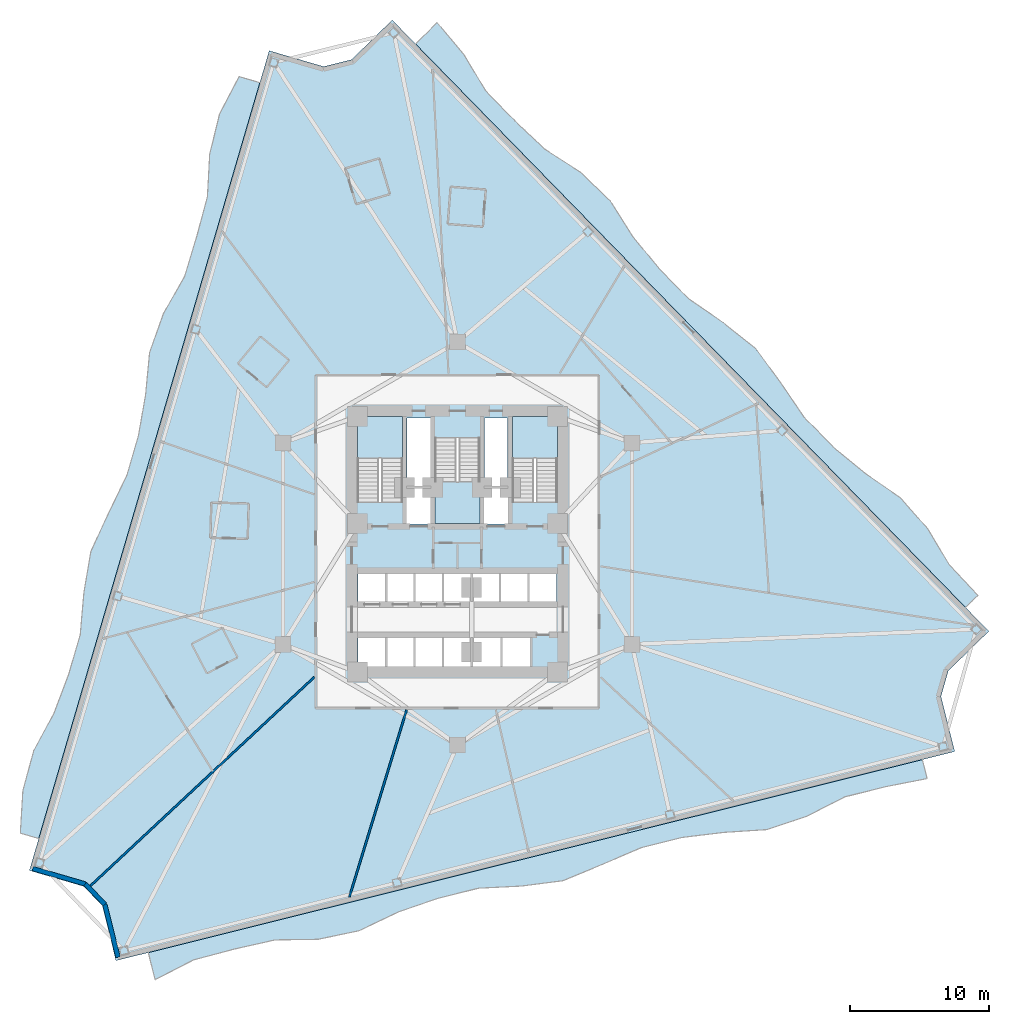
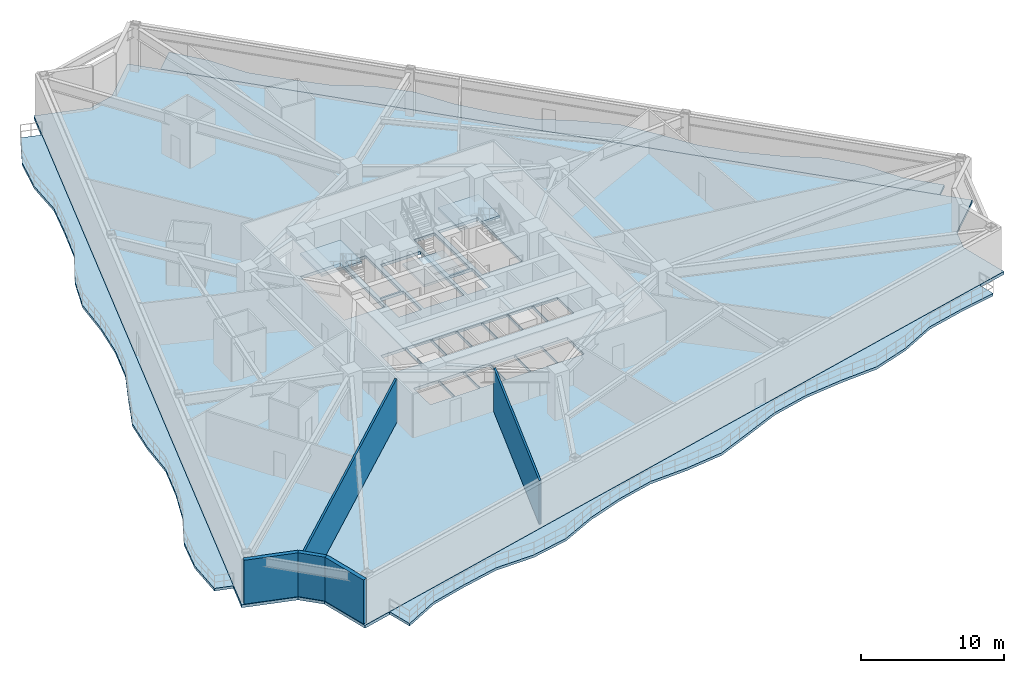
# One storey, part 2 of 10: 7 slabs, 5 walls, 3 elements without a shape of their own.
"""IFC4 building model written with IfcOpenShell, lengths in metres."""

from ifc_helpers import new_model, si_unit, direction, frame, frame_2d, origin, place, context, subcontext, project, spatial, polyline, rectangle, outline, extrude, material, layer, layer_set, type_object, element, aggregate, save


model = new_model("IFC4")

# Units and contexts
model_context = context("Model", 3, precision=1e-05, world=origin(), true_north=direction((0.0, 1.0)))
body_context = subcontext(model_context, "Body", "Model", "MODEL_VIEW")
ifc_project = project(units=[si_unit("LENGTHUNIT", "METRE"), si_unit("AREAUNIT", "SQUARE_METRE"), si_unit("VOLUMEUNIT", "CUBIC_METRE"), si_unit("PLANEANGLEUNIT", "RADIAN"), si_unit("MASSUNIT", "GRAM", prefix="KILO")], contexts=[model_context])

# Site, building, storey
site_placement = place(None, origin())
site = spatial("IfcSite", under=ifc_project, at=site_placement, CompositionType="ELEMENT")
building_placement = place(site_placement, origin())
building = spatial("IfcBuilding", under=site, at=building_placement, Name="Apsidion Concourse Tower", CompositionType="ELEMENT")
storey_placement = place(building_placement, frame((0.0, 0.0, 107.0)))
storey = spatial("IfcBuildingStorey", under=building, at=storey_placement, Name="L24", CompositionType="ELEMENT", Elevation=107.0)

# Slabs
ifc_material_1 = material(Name="Concrete C50/60", Category="concrete")
ifc_layer_1 = layer(ifc_material_1, 0.219970703125)
ifc_layer_set_1 = layer_set([ifc_layer_1], Name="Concrete C50/60")
slab_type_1 = type_object("IfcSlabType", Name="SL-BAL-220", PredefinedType="FLOOR", material=ifc_layer_set_1)
slab_1_placement = place(storey_placement, frame((0.0, 0.0, -0.219970703125)))
element("IfcSlab", 1, at=slab_1_placement, inside=storey, type_object=slab_type_1, Name="L24 Face 1 Rippling Balcony Slab", PredefinedType="FLOOR", context=body_context, shape_type="SweptSolid", body=[
    extrude(outline(polyline([(-14.220458984375, 33.17431640625), (-15.05810546875, 30.311279296875), (-15.8955078125, 27.4482421875), (-16.73291015625, 24.58544921875), (-17.570556640625, 21.722412109375), (-18.407958984375, 18.859619140625), (-19.24560546875, 15.99658203125), (-20.0830078125, 13.133544921875), (-20.920654296875, 10.2705078125), (-21.758056640625, 7.40771484375), (-22.595703125, 4.544677734375), (-23.43310546875, 1.681884765625), (-24.2705078125, -1.18115234375), (-25.108154296875, -4.044189453125), (-25.94580078125, -6.906982421875), (-26.783203125, -9.77001953125), (-27.62060546875, -12.633056640625), (-28.458251953125, -15.495849609375), (-29.295654296875, -18.35888671875), (-30.13330078125, -21.2216796875), (-31.457275390625, -20.83447265625), (-31.2744140625, -17.780029296875), (-30.491455078125, -14.901123046875), (-29.04150390625, -12.21728515625), (-27.98291015625, -9.419189453125), (-27.1455078125, -6.55615234375), (-26.8837890625, -3.524658203125), (-26.380126953125, -0.564208984375), (-25.116455078125, 2.17431640625), (-23.79541015625, 4.895751953125), (-22.957763671875, 7.758544921875), (-22.441650390625, 10.715576171875), (-22.15771484375, 13.740478515625), (-21.15625, 16.555419921875), (-19.6376953125, 19.21923828125), (-18.770263671875, 22.073486328125), (-17.993408203125, 24.9541015625), (-17.830078125, 28.014404296875), (-17.120361328125, 30.91455078125), (-15.7080078125, 33.609375), (-14.220458984375, 33.17431640625)])), origin(), (0.0, 0.0, 1.0), 0.219970703125),
])
slab_2_placement = place(storey_placement, frame((0.0, 0.0, -0.219970703125)))
element("IfcSlab", 2, at=slab_2_placement, inside=storey, type_object=slab_type_1, Name="L24 Face 2 Rippling Balcony Slab", PredefinedType="FLOOR", context=body_context, shape_type="SweptSolid", body=[
    extrude(outline(polyline([(-22.24560546875, -29.43359375), (-19.313720703125, -28.702392578125), (-16.3818359375, -27.971435546875), (-13.449951171875, -27.240478515625), (-10.51806640625, -26.509521484375), (-7.586181640625, -25.778564453125), (-4.654296875, -25.047607421875), (-1.722412109375, -24.31640625), (1.209228515625, -23.58544921875), (4.14111328125, -22.8544921875), (7.072998046875, -22.12353515625), (10.0048828125, -21.392578125), (12.936767578125, -20.66162109375), (15.86865234375, -19.9306640625), (18.800537109375, -19.19970703125), (21.732421875, -18.468505859375), (24.664306640625, -17.737548828125), (27.59619140625, -17.006591796875), (30.528076171875, -16.275634765625), (33.4599609375, -15.544677734375), (33.798828125, -16.90380859375), (30.830322265625, -17.488525390625), (27.898681640625, -18.219482421875), (25.134521484375, -19.623046875), (22.259033203125, -20.581298828125), (19.194091796875, -20.7783203125), (16.171142578125, -21.143310546875), (13.2392578125, -21.87451171875), (10.42626953125, -23.08251953125), (7.604736328125, -24.255859375), (4.58740234375, -24.6435546875), (1.51171875, -24.79833984375), (-1.420166015625, -25.529296875), (-4.287353515625, -26.519287109375), (-7.068603515625, -27.8544921875), (-10.0283203125, -28.474365234375), (-13.131591796875, -28.51806640625), (-16.07958984375, -29.184326171875), (-19.000244140625, -29.960205078125), (-21.759521484375, -31.38330078125), (-22.24560546875, -29.43359375)])), origin(), (0.0, 0.0, 1.0), 0.219970703125),
])
slab_3_placement = place(storey_placement, frame((0.0, 0.0, -0.219970703125)))
element("IfcSlab", 3, at=slab_3_placement, inside=storey, type_object=slab_type_1, Name="L24 Face 3 Rippling Balcony Slab", PredefinedType="FLOOR", context=body_context, shape_type="SweptSolid", body=[
    extrude(outline(polyline([(36.569091796875, -4.591064453125), (34.485595703125, -2.456298828125), (32.402099609375, -0.32177734375), (30.318603515625, 1.81298828125), (28.23486328125, 3.947509765625), (26.1513671875, 6.082275390625), (24.06787109375, 8.216796875), (21.984130859375, 10.3515625), (19.900634765625, 12.486083984375), (17.817138671875, 14.620849609375), (15.733642578125, 16.75537109375), (13.64990234375, 18.89013671875), (11.56640625, 21.024658203125), (9.48291015625, 23.159423828125), (7.3994140625, 25.2939453125), (5.31591796875, 27.4287109375), (3.232177734375, 29.563232421875), (1.148681640625, 31.697998046875), (-0.934814453125, 33.83251953125), (-3.018310546875, 35.96728515625), (-1.460205078125, 37.488037109375), (0.461181640625, 35.1953125), (2.043212890625, 32.571044921875), (4.126708984375, 30.436279296875), (6.291015625, 28.380615234375), (8.86669921875, 26.726318359375), (11.004638671875, 24.644775390625), (12.63818359375, 22.07080078125), (14.54443359375, 19.76318359375), (16.628173828125, 17.62841796875), (19.1298828125, 15.902099609375), (21.474365234375, 14.022216796875), (23.251220703125, 11.587890625), (24.96240234375, 9.090087890625), (27.0458984375, 6.955322265625), (29.356689453125, 5.04248046875), (31.86083984375, 3.318359375), (33.835693359375, 1.07763671875), (35.413818359375, -1.55029296875), (37.463623046875, -3.718017578125), (36.569091796875, -4.591064453125)])), origin(), (0.0, 0.0, 1.0), 0.219970703125),
])
ifc_layer_2 = layer(ifc_material_1, 0.25)
ifc_layer_set_2 = layer_set([ifc_layer_2], Name="Concrete C50/60")
slab_type_2 = type_object("IfcSlabType", Name="SL-FLR-250", PredefinedType="FLOOR", material=ifc_layer_set_2)
slab_4_placement = place(storey_placement, frame((0.0, 0.0, -0.25)))
element("IfcSlab", 4, at=slab_4_placement, inside=storey, type_object=slab_type_2, Name="L24 Structural Floor Slab", PredefinedType="FLOOR", context=body_context, shape_type="SweptSolid", body=[
    extrude(outline(polyline([(-4.69482421875, 37.684814453125), (-7.614013671875, 34.83544921875), (-9.63134765625, 34.33251953125), (-13.546630859375, 35.477783203125), (-30.80712890625, -23.525390625), (-26.891845703125, -24.670654296875), (-25.56103515625, -26.055908203125), (-24.57421875, -30.01416015625), (35.78857421875, -14.964111328125), (34.8017578125, -11.005859375), (35.326416015625, -9.15771484375), (38.24560546875, -6.30859375), (-4.69482421875, 37.684814453125)]), holes=[polyline([(-3.949951171875, 3.0), (-3.949951171875, 9.14990234375), (-7.199951171875, 9.14990234375), (-7.199951171875, 3.0), (-3.949951171875, 3.0)]), polyline([(7.199951171875, 3.0), (7.199951171875, 9.14990234375), (3.949951171875, 9.14990234375), (3.949951171875, 3.0), (7.199951171875, 3.0)]), polyline([(-1.625, 7.60009765625), (-1.625, 1.449951171875), (1.625, 1.449951171875), (1.625, 7.60009765625), (-1.625, 7.60009765625)]), polyline([(-7.14501953125, -4.300048828125), (-5.155029296875, -4.300048828125), (-5.155029296875, -2.050048828125), (-7.14501953125, -2.050048828125), (-7.14501953125, -4.300048828125)]), polyline([(-5.094970703125, -4.300048828125), (-3.10498046875, -4.300048828125), (-3.10498046875, -2.050048828125), (-5.094970703125, -2.050048828125), (-5.094970703125, -4.300048828125)]), polyline([(-3.044921875, -4.300048828125), (-1.054931640625, -4.300048828125), (-1.054931640625, -2.050048828125), (-3.044921875, -2.050048828125), (-3.044921875, -4.300048828125)]), polyline([(-0.9951171875, -4.300048828125), (0.9951171875, -4.300048828125), (0.9951171875, -2.050048828125), (-0.9951171875, -2.050048828125), (-0.9951171875, -4.300048828125)]), polyline([(1.054931640625, -4.300048828125), (3.044921875, -4.300048828125), (3.044921875, -2.050048828125), (1.054931640625, -2.050048828125), (1.054931640625, -4.300048828125)]), polyline([(3.10498046875, -4.300048828125), (5.094970703125, -4.300048828125), (5.094970703125, -2.050048828125), (3.10498046875, -2.050048828125), (3.10498046875, -4.300048828125)]), polyline([(5.155029296875, -4.300048828125), (7.14501953125, -4.300048828125), (7.14501953125, -2.050048828125), (5.155029296875, -2.050048828125), (5.155029296875, -4.300048828125)]), polyline([(-7.14501953125, -8.949951171875), (-5.155029296875, -8.949951171875), (-5.155029296875, -6.64990234375), (-7.14501953125, -6.64990234375), (-7.14501953125, -8.949951171875)]), polyline([(-5.094970703125, -8.949951171875), (-3.10498046875, -8.949951171875), (-3.10498046875, -6.64990234375), (-5.094970703125, -6.64990234375), (-5.094970703125, -8.949951171875)]), polyline([(-3.044921875, -8.949951171875), (-1.054931640625, -8.949951171875), (-1.054931640625, -6.64990234375), (-3.044921875, -6.64990234375), (-3.044921875, -8.949951171875)]), polyline([(-0.9951171875, -8.949951171875), (0.9951171875, -8.949951171875), (0.9951171875, -6.64990234375), (-0.9951171875, -6.64990234375), (-0.9951171875, -8.949951171875)]), polyline([(1.044921875, -9.0), (3.155029296875, -9.0), (3.155029296875, -6.64990234375), (1.044921875, -6.64990234375), (1.044921875, -9.0)]), polyline([(3.195068359375, -9.0), (5.304931640625, -9.0), (5.304931640625, -6.64990234375), (3.195068359375, -6.64990234375), (3.195068359375, -9.0)]), polyline([(-3.7099609375, 1.39990234375), (-1.85009765625, 1.39990234375), (-1.85009765625, 4.0), (-3.7099609375, 4.0), (-3.7099609375, 1.39990234375)]), polyline([(1.85009765625, 1.39990234375), (3.7099609375, 1.39990234375), (3.7099609375, 4.0), (1.85009765625, 4.0), (1.85009765625, 1.39990234375)]), polyline([(-3.6201171875, 4.14990234375), (-1.93994140625, 4.14990234375), (-1.93994140625, 9.050048828125), (-3.6201171875, 9.050048828125), (-3.6201171875, 4.14990234375)]), polyline([(1.93994140625, 4.14990234375), (3.6201171875, 4.14990234375), (3.6201171875, 9.050048828125), (1.93994140625, 9.050048828125), (1.93994140625, 4.14990234375)])]), origin(), (0.0, 0.0, 1.0), 0.25),
])

# Stair, slab
ifc_material_2 = material(Name="Precast concrete C40/50", Category="concrete")
stair_type = type_object("IfcStairType", Name="ST-DL-1550", PredefinedType="HALF_TURN_STAIR", material=ifc_material_2)
stair_1_placement = place(storey_placement, origin())
stair_1 = element("IfcStair", 5, at=stair_1_placement, inside=storey, type_object=stair_type, Name="L24 Protected Core Exit Stair ST1", PredefinedType="HALF_TURN_STAIR")
ifc_layer_3 = layer(ifc_material_1, 0.199951171875)
ifc_layer_set_3 = layer_set([ifc_layer_3], Name="Concrete C50/60")
slab_type_3 = type_object("IfcSlabType", Name="SL-ST-LAND-200", PredefinedType="LANDING", material=ifc_layer_set_3)
slab_5_placement = place(storey_placement, frame((0.0, 0.0, 1.800048828125)))
slab_5 = element("IfcSlab", 6, at=slab_5_placement, type_object=slab_type_3, Name="ST1 landing 1", PredefinedType="LANDING", context=body_context, shape_type="SweptSolid", body=[
    extrude(outline(polyline([(-3.949951171875, 6.135009765625), (-3.949951171875, 9.14990234375), (-7.199951171875, 9.14990234375), (-7.199951171875, 6.135009765625), (-3.949951171875, 6.135009765625)])), origin(), (0.0, 0.0, 1.0), 0.199951171875),
])
aggregate(stair_1, [slab_5])

stair_2_placement = place(storey_placement, origin())
stair_2 = element("IfcStair", 7, at=stair_2_placement, inside=storey, type_object=stair_type, Name="L24 Protected Core Exit Stair ST2", PredefinedType="HALF_TURN_STAIR")
slab_6_placement = place(storey_placement, frame((0.0, 0.0, 1.800048828125)))
slab_6 = element("IfcSlab", 8, at=slab_6_placement, type_object=slab_type_3, Name="ST2 landing 1", PredefinedType="LANDING", context=body_context, shape_type="SweptSolid", body=[
    extrude(outline(polyline([(7.199951171875, 6.135009765625), (7.199951171875, 9.14990234375), (3.949951171875, 9.14990234375), (3.949951171875, 6.135009765625), (7.199951171875, 6.135009765625)])), origin(), (0.0, 0.0, 1.0), 0.199951171875),
])
aggregate(stair_2, [slab_6])

stair_3_placement = place(storey_placement, origin())
stair_3 = element("IfcStair", 9, at=stair_3_placement, inside=storey, type_object=stair_type, Name="L24 Protected Core Exit Stair ST3", PredefinedType="HALF_TURN_STAIR")
slab_7_placement = place(storey_placement, frame((0.0, 0.0, 1.800048828125)))
slab_7 = element("IfcSlab", 10, at=slab_7_placement, type_object=slab_type_3, Name="ST3 landing 1", PredefinedType="LANDING", context=body_context, shape_type="SweptSolid", body=[
    extrude(outline(polyline([(-1.625, 4.465087890625), (-1.625, 1.449951171875), (1.625, 1.449951171875), (1.625, 4.465087890625), (-1.625, 4.465087890625)])), origin(), (0.0, 0.0, 1.0), 0.199951171875),
])
aggregate(stair_3, [slab_7])

# Walls
ifc_layer_4 = layer(ifc_material_2, 0.320068359375)
ifc_layer_set_4 = layer_set([ifc_layer_4], Name="Precast concrete C40/50")
wall_type_1 = type_object("IfcWallType", Name="WL-EXT-320", PredefinedType="STANDARD", material=ifc_layer_set_4)
wall_1_placement = place(storey_placement, frame((-24.4287109375, -29.771728515625, 0.0), z_axis=(0.0, 0.0, 1.0), x_axis=(-0.241863642263, 0.970310248607, 0.0)))
element("IfcWall", 11, at=wall_1_placement, inside=storey, type_object=wall_type_1, Name="L24 Precast Stone Facade Wall 06", PredefinedType="STANDARD", context=body_context, shape_type="SweptSolid", body=[
    extrude(rectangle(XDim=3.9326171875, YDim=0.320068359375, at=frame_2d((1.96630859375, 0.0))), origin(), (0.0, 0.0, 1.0), 3.75),
])
wall_2_placement = place(storey_placement, frame((-25.3798828125, -25.955810546875, 0.0), z_axis=(0.0, 0.0, 1.0), x_axis=(-0.69281750058, 0.721112966802, 0.0)))
element("IfcWall", 12, at=wall_2_placement, inside=storey, type_object=wall_type_1, Name="L24 Precast Stone Facade Wall 07", PredefinedType="STANDARD", context=body_context, shape_type="SweptSolid", body=[
    extrude(rectangle(XDim=2.027587890625, YDim=0.320068359375, at=frame_2d((1.013671875, 0.0))), origin(), (0.0, 0.0, 1.0), 3.75),
])
wall_3_placement = place(storey_placement, frame((-26.78466796875, -24.49365234375, 0.0), z_axis=(0.0, 0.0, 1.0), x_axis=(-0.959768832583, 0.28079136027, 0.0)))
element("IfcWall", 13, at=wall_3_placement, inside=storey, type_object=wall_type_1, Name="L24 Precast Stone Facade Wall 08", PredefinedType="STANDARD", context=body_context, shape_type="SweptSolid", body=[
    extrude(rectangle(XDim=3.9326171875, YDim=0.320068359375, at=frame_2d((1.96630859375, 0.0))), origin(), (0.0, 0.0, 1.0), 3.75),
])
ifc_material_3 = material(Name="Gypsum plasterboard partition")
ifc_layer_5 = layer(ifc_material_3, 0.14990234375)
ifc_layer_set_5 = layer_set([ifc_layer_5], Name="Gypsum plasterboard partition")
wall_type_2 = type_object("IfcWallType", Name="WL-INT-PAR-150", PredefinedType="PARTITIONING", material=ifc_layer_set_5)
wall_4_placement = place(storey_placement, frame((-10.304931640625, -9.609619140625, 0.0), z_axis=(0.0, 0.0, 1.0), x_axis=(-0.731358223389, -0.681993511026, 0.0)))
element("IfcWall", 14, at=wall_4_placement, inside=storey, type_object=wall_type_2, Name="L24 Interior Partition WL-L24-RAD-07-1", PredefinedType="PARTITIONING", context=body_context, shape_type="SweptSolid", body=[
    extrude(rectangle(XDim=22.02294921875, YDim=0.14990234375, at=frame_2d((11.011474609375, 0.0))), origin(), (0.0, 0.0, 1.0), 3.75),
])
wall_5_placement = place(storey_placement, frame((-3.655029296875, -11.955078125, 0.0), z_axis=(0.0, 0.0, 1.0), x_axis=(-0.292365011215, -0.956306802348, 0.0)))
element("IfcWall", 15, at=wall_5_placement, inside=storey, type_object=wall_type_2, Name="L24 Interior Partition WL-L24-RAD-08-1", PredefinedType="PARTITIONING", context=body_context, shape_type="SweptSolid", body=[
    extrude(rectangle(XDim=14.100830078125, YDim=0.14990234375, at=frame_2d((7.05029296875, 0.0))), origin(), (0.0, 0.0, 1.0), 3.75),
])

save(model, "model.ifc")
